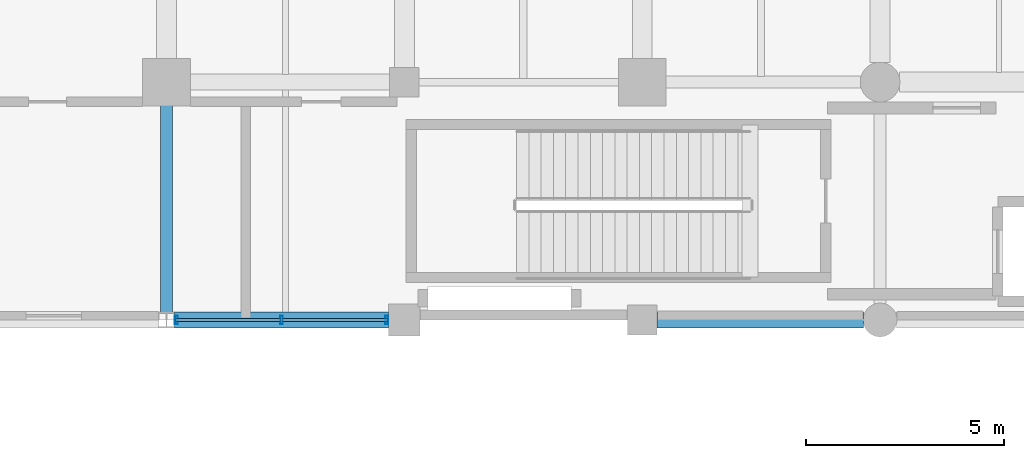
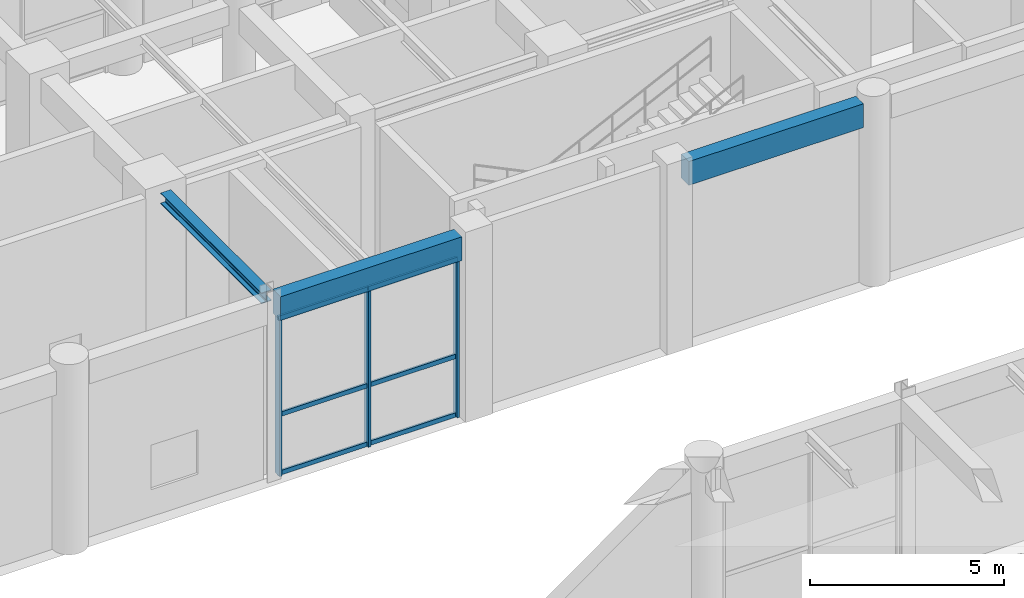
# One storey, part 46 of 106: 9 members, 3 beams, 1 element without a shape of its own.
"""IFC4 building model written with IfcOpenShell, lengths in metres."""

import ifcopenshell
import ifcopenshell.guid

model = None  # the IFC model being written
_history = None  # IfcOwnerHistory: only IFC2X3 demands one
_inside = {}  # id of a spatial element -> (the spatial element, [elements in it])
_under = {}  # id of a project, library or spatial element -> (it, [spatial elements below it])
_declared = {}  # id of a project -> (the project, [libraries it declares])
_typed = {}  # id of a type object -> (the type object, [elements of that type])
_made_of = {}  # id of a material, layer set ... -> (it, [elements and type objects made of it])


def new_model(schema):
    """Start an empty IFC model of exactly this schema.

    Asked for "IFC4X3", IfcOpenShell would pick the latest addendum, in which some entities
    have other attributes; the version numbers below select the first issue.
    IFC2X3 requires an IfcOwnerHistory on every rooted entity: one is made here for all.
    """
    global model, _history
    if schema == "IFC4X3":
        model = ifcopenshell.file(schema_version=(4, 3, 0, 0))
    else:
        model = ifcopenshell.file(schema=schema)
    _inside.clear()
    _under.clear()
    _declared.clear()
    _typed.clear()
    _made_of.clear()
    _history = None
    if model.schema == "IFC2X3":
        org = make("IfcOrganization", Name="unknown")
        user = make(
            "IfcPersonAndOrganization",
            ThePerson=make("IfcPerson", FamilyName="unknown"),
            TheOrganization=org,
        )
        app = make(
            "IfcApplication",
            ApplicationDeveloper=org,
            Version="unknown",
            ApplicationFullName="unknown",
            ApplicationIdentifier="unknown",
        )
        _history = make(
            "IfcOwnerHistory",
            OwningUser=user,
            OwningApplication=app,
            ChangeAction="ADDED",
            CreationDate=0,
        )
    return model


def make(cls, **values):
    """One entity of the class cls with the attributes given. An attribute that is None is left unset."""
    return model.create_entity(
        cls, **{name: value for name, value in values.items() if value is not None}
    )


def rooted(cls, **values):
    """An entity with a GlobalId (a new one), such as an element, a storey or a relation."""
    return make(cls, GlobalId=ifcopenshell.guid.new(), OwnerHistory=_history, **values)


def si_unit(unit_type, name, prefix=None):
    """IfcSIUnit, for example si_unit("LENGTHUNIT", "METRE", prefix="MILLI")."""
    return make("IfcSIUnit", UnitType=unit_type, Prefix=prefix, Name=name)


def assignment(units):
    """IfcUnitAssignment: the units of a project."""
    return None if units is None else make("IfcUnitAssignment", Units=units)


def point(xyz):
    """IfcCartesianPoint."""
    return None if xyz is None else make("IfcCartesianPoint", Coordinates=xyz)


def direction(xyz):
    """IfcDirection."""
    return None if xyz is None else make("IfcDirection", DirectionRatios=xyz)


def frame(location, z_axis=None, x_axis=None):
    """IfcAxis2Placement3D, a coordinate frame: its origin and axes. An axis left out is left unset."""
    return make(
        "IfcAxis2Placement3D",
        Location=point(location),
        Axis=direction(z_axis),
        RefDirection=direction(x_axis),
    )


def frame_2d(location, x_axis=None):
    """IfcAxis2Placement2D, a coordinate frame in the plane: its origin and x axis."""
    return make(
        "IfcAxis2Placement2D", Location=point(location), RefDirection=direction(x_axis)
    )


def origin():
    """The frame at (0, 0, 0) with its axes left unset."""
    return frame((0.0, 0.0, 0.0))


def origin_2d():
    """The frame at (0, 0) in the plane with its x axis left unset."""
    return frame_2d((0.0, 0.0))


def place(relative_to, where):
    """IfcLocalPlacement: puts the frame where relative to a parent placement (None: the world)."""
    return make(
        "IfcLocalPlacement", PlacementRelTo=relative_to, RelativePlacement=where
    )


def context(
    kind, dimensions, precision=None, world=None, true_north=None, identifier=None
):
    """IfcGeometricRepresentationContext, for example the 3D "Model" context."""
    return make(
        "IfcGeometricRepresentationContext",
        ContextIdentifier=identifier,
        ContextType=kind,
        CoordinateSpaceDimension=dimensions,
        Precision=precision,
        WorldCoordinateSystem=world,
        TrueNorth=true_north,
    )


def subcontext(parent, identifier, kind, view, scale=None):
    """IfcGeometricRepresentationSubContext, for example "Body" below "Model"."""
    return make(
        "IfcGeometricRepresentationSubContext",
        ContextIdentifier=identifier,
        ContextType=kind,
        ParentContext=parent,
        TargetScale=scale,
        TargetView=view,
    )


def project(units=None, contexts=None):
    """IfcProject with its units and contexts."""
    return rooted(
        "IfcProject",
        Name="project",
        RepresentationContexts=contexts,
        UnitsInContext=assignment(units),
    )


def spatial(cls, under=None, at=None, **own):
    """A site, building, storey or space (cls), placed at a placement, below another one or the project."""
    s = rooted(cls, ObjectPlacement=at, **own)
    if under is not None:
        _under.setdefault(under.id(), (under, []))[1].append(s)
    return s


def profile(cls, at=None, kind="AREA", **sizes):
    """A parametric profile (cls). Its sizes go by their IFC names, for example OverallWidth=200.0."""
    return make(cls, ProfileType=kind, Position=at, **sizes)


def rectangle(**sizes):
    """IfcRectangleProfileDef."""
    return profile("IfcRectangleProfileDef", **sizes)


def hollow_rectangle(**sizes):
    """IfcRectangleHollowProfileDef."""
    return profile("IfcRectangleHollowProfileDef", **sizes)


def i_section(**sizes):
    """IfcIShapeProfileDef."""
    return profile("IfcIShapeProfileDef", **sizes)


def extrude(swept, where, along, depth):
    """IfcExtrudedAreaSolid: the profile swept, set in the frame where, extruded along a direction by depth."""
    return make(
        "IfcExtrudedAreaSolid",
        SweptArea=swept,
        Position=where,
        ExtrudedDirection=direction(along),
        Depth=depth,
    )


def shape(context_of_items, identifier, shape_type, items):
    """IfcShapeRepresentation: the items that make up one representation, for example the "Body"."""
    return make(
        "IfcShapeRepresentation",
        ContextOfItems=context_of_items,
        RepresentationIdentifier=identifier,
        RepresentationType=shape_type,
        Items=items,
    )


def material(Name=None, Category=None):
    """IfcMaterial."""
    return make("IfcMaterial", Name=Name, Category=Category)


def material_profile(
    of_material, cross_section, Name=None, Category=None, Priority=None
):
    """IfcMaterialProfile: a cross section and its material."""
    return make(
        "IfcMaterialProfile",
        Name=Name,
        Material=of_material,
        Profile=cross_section,
        Priority=Priority,
        Category=Category,
    )


def profile_set(profiles, Name=None, composite=None):
    """IfcMaterialProfileSet."""
    return make(
        "IfcMaterialProfileSet",
        Name=Name,
        MaterialProfiles=profiles,
        CompositeProfile=composite,
    )


def made_of(thing, what):
    """Note that an element or type object is made of a material, layer set ...; save() writes the relation."""
    if what is not None:
        _made_of.setdefault(what.id(), (what, []))[1].append(thing)
    return thing


def type_object(cls, material=None, **own):
    """A type object (cls), such as IfcWallType, which elements share."""
    return made_of(rooted(cls, **own), material)


def element(
    cls,
    number,
    at=None,
    inside=None,
    cuts=None,
    type_object=None,
    material=None,
    context=None,
    identifier="Body",
    shape_type=None,
    held_by="IfcProductDefinitionShape",
    body=None,
    shapes=None,
    **own,
):
    """One element of the class cls, such as IfcWall. Its Tag is "e" and its number.

    at: its placement. inside: the storey or other place that contains it. cuts: it is an
    opening in that element (IfcRelVoidsElement). A single representation is given by context,
    identifier, shape_type and body (its items); several are given by shapes. held_by: the class
    of the entity that holds the representations. save() writes the other relations.
    """
    e = rooted(cls, Tag="e%d" % number, ObjectPlacement=at, **own)
    if body is not None:
        shapes = [shape(context, identifier, shape_type, body)]
    if shapes is not None:
        e.Representation = make(held_by, Representations=shapes)
    if inside is not None:
        _inside.setdefault(inside.id(), (inside, []))[1].append(e)
    if cuts is not None:
        rooted(
            "IfcRelVoidsElement", RelatingBuildingElement=cuts, RelatedOpeningElement=e
        )
    if type_object is not None:
        _typed.setdefault(type_object.id(), (type_object, []))[1].append(e)
    return made_of(e, material)


def aggregate(whole, parts):
    """IfcRelAggregates: a whole, such as a stair, and the parts it consists of."""
    return rooted("IfcRelAggregates", RelatingObject=whole, RelatedObjects=parts)


def save(model, path):
    """Write the relations noted so far, then the file.

    IfcRelAggregates (storeys below a building ...), IfcRelContainedInSpatialStructure (elements
    in a storey), IfcRelDefinesByType, IfcRelAssociatesMaterial and IfcRelDeclares: one each for
    every whole, place, type object, material and project.
    """
    for whole, parts in _under.values():
        aggregate(whole, parts)
    for where, things in _inside.values():
        rooted(
            "IfcRelContainedInSpatialStructure",
            RelatedElements=things,
            RelatingStructure=where,
        )
    for kind, things in _typed.values():
        rooted("IfcRelDefinesByType", RelatedObjects=things, RelatingType=kind)
    for what, things in _made_of.values():
        rooted("IfcRelAssociatesMaterial", RelatedObjects=things, RelatingMaterial=what)
    for by, libraries in _declared.values():
        rooted("IfcRelDeclares", RelatingContext=by, RelatedDefinitions=libraries)
    model.write(path)


model = new_model("IFC4")

# Units and contexts
model_context = context("Model", 3, precision=1e-05, world=origin(), true_north=direction((0.0, 1.0)))
body_context = subcontext(model_context, "Body", "Model", "MODEL_VIEW")
ifc_project = project(units=[si_unit("LENGTHUNIT", "METRE"), si_unit("AREAUNIT", "SQUARE_METRE"), si_unit("VOLUMEUNIT", "CUBIC_METRE"), si_unit("PLANEANGLEUNIT", "RADIAN"), si_unit("MASSUNIT", "GRAM", prefix="KILO"), si_unit("THERMODYNAMICTEMPERATUREUNIT", "KELVIN"), si_unit("POWERUNIT", "WATT")], contexts=[model_context])

# Site, building, storey
site_placement = place(None, origin())
site = spatial("IfcSite", under=ifc_project, at=site_placement, CompositionType="ELEMENT")
building_placement = place(site_placement, origin())
building = spatial("IfcBuilding", under=site, at=building_placement, Name="Phaisarnlok Congress Hotel", CompositionType="ELEMENT")
storey_placement = place(building_placement, origin())
storey = spatial("IfcBuildingStorey", under=building, at=storey_placement, Name="L00", CompositionType="ELEMENT", Elevation=0.0)

# Beam
ifc_material_1 = material(Name="Steel S355", Category="steel")
ifc_material_profile_1 = material_profile(ifc_material_1, i_section(OverallWidth=0.300048828125, OverallDepth=0.340087890625, WebThickness=0.011962890625, FlangeThickness=0.021484375, FilletRadius=0.027099609375, at=origin_2d()), Name="HEB 340")
ifc_profile_set_1 = profile_set([ifc_material_profile_1], Name="Steel S355")
beam_type_1 = type_object("IfcBeamType", Name="BM-STL-HEB340", PredefinedType="BEAM", material=ifc_profile_set_1)
beam_1_placement = place(storey_placement, frame((96.0, 108.194580078125, 5.570068359375), z_axis=(0.0, 1.0, 0.0), x_axis=(-1.0, 0.0, 0.0)))
element("IfcBeam", 1, at=beam_1_placement, inside=storey, type_object=beam_type_1, Name="Beam SB-07", PredefinedType="BEAM", context=body_context, shape_type="SweptSolid", body=[
    extrude(i_section(OverallWidth=0.300048828125, OverallDepth=0.340087890625, WebThickness=0.011962890625, FlangeThickness=0.021484375, FilletRadius=0.027099609375, at=origin_2d()), origin(), (0.0, 0.0, 1.0), 5.21044921875),
])

# Curtain wall, members
ifc_material_2 = material(Name="Thermally Broken Unitised Aluminium & Low-E Glazing", Category="aluminium")
curtain_wall_type = type_object("IfcCurtainWallType", Name="CW-UNIT-04", PredefinedType="NOTDEFINED", material=ifc_material_2)
curtain_wall_placement = place(storey_placement, origin())
curtain_wall = element("IfcCurtainWall", 2, at=curtain_wall_placement, inside=storey, type_object=curtain_wall_type, Name="Unitised curtain wall CW-04 (L00)", PredefinedType="NOTDEFINED")
ifc_material_3 = material(Name="Anodised Aluminium Alloy 6063-T6", Category="aluminium")
ifc_material_profile_2 = material_profile(ifc_material_3, hollow_rectangle(XDim=0.074951171875, YDim=0.219970703125, WallThickness=0.0048828125, at=origin_2d()), Name="ALU-M 75x220x5")
ifc_profile_set_2 = profile_set([ifc_material_profile_2], Name="Anodised Aluminium Alloy 6063-T6")
member_type_1 = type_object("IfcMemberType", Name="CWM-220", PredefinedType="MULLION", material=ifc_profile_set_2)
member_1_placement = place(storey_placement, frame((96.25048828125, 108.0, 0.0), z_axis=(0.0, 0.0, 1.0), x_axis=(1.0, 0.0, 0.0)))
member_1 = element("IfcMember", 3, at=member_1_placement, type_object=member_type_1, Name="Curtain wall mullion CWM-02", PredefinedType="MULLION", context=body_context, shape_type="SweptSolid", body=[
    extrude(hollow_rectangle(XDim=0.074951171875, YDim=0.219970703125, WallThickness=0.0048828125, at=origin_2d()), origin(), (0.0, 0.0, 1.0), 4.989990234375),
])
member_2_placement = place(storey_placement, frame((98.900146484375, 108.0, 0.0), z_axis=(0.0, 0.0, 1.0), x_axis=(1.0, 0.0, 0.0)))
member_2 = element("IfcMember", 4, at=member_2_placement, type_object=member_type_1, Name="Curtain wall mullion CWM-02", PredefinedType="MULLION", context=body_context, shape_type="SweptSolid", body=[
    extrude(hollow_rectangle(XDim=0.074951171875, YDim=0.219970703125, WallThickness=0.0048828125, at=origin_2d()), origin(), (0.0, 0.0, 1.0), 4.989990234375),
])
member_3_placement = place(storey_placement, frame((101.550048828125, 108.0, 0.0), z_axis=(0.0, 0.0, 1.0), x_axis=(1.0, 0.0, 0.0)))
member_3 = element("IfcMember", 5, at=member_3_placement, type_object=member_type_1, Name="Curtain wall mullion CWM-02", PredefinedType="MULLION", context=body_context, shape_type="SweptSolid", body=[
    extrude(hollow_rectangle(XDim=0.074951171875, YDim=0.219970703125, WallThickness=0.0048828125, at=origin_2d()), origin(), (0.0, 0.0, 1.0), 4.989990234375),
])
ifc_material_profile_3 = material_profile(ifc_material_3, hollow_rectangle(XDim=0.06494140625, YDim=0.139892578125, WallThickness=0.00390625, at=origin_2d()), Name="ALU-T 65x140x4")
ifc_profile_set_3 = profile_set([ifc_material_profile_3], Name="Anodised Aluminium Alloy 6063-T6")
member_type_2 = type_object("IfcMemberType", Name="CWT-150", PredefinedType="USERDEFINED", material=ifc_profile_set_3)
member_4_placement = place(storey_placement, frame((96.2255859375, 108.0, 0.050048828125), z_axis=(1.0, 0.0, 0.0), x_axis=(0.0, 1.0, 0.0)))
member_4 = element("IfcMember", 6, at=member_4_placement, type_object=member_type_2, Name="Curtain wall transom CWT-01", ObjectType="TRANSOM", PredefinedType="USERDEFINED", context=body_context, shape_type="SweptSolid", body=[
    extrude(hollow_rectangle(XDim=0.06494140625, YDim=0.139892578125, WallThickness=0.00390625, at=origin_2d()), origin(), (0.0, 0.0, 1.0), 2.65966796875),
])
member_5_placement = place(storey_placement, frame((96.2255859375, 108.0, 1.896240234375), z_axis=(1.0, 0.0, 0.0), x_axis=(0.0, 1.0, 0.0)))
member_5 = element("IfcMember", 7, at=member_5_placement, type_object=member_type_2, Name="Curtain wall transom CWT-01", ObjectType="TRANSOM", PredefinedType="USERDEFINED", context=body_context, shape_type="SweptSolid", body=[
    extrude(hollow_rectangle(XDim=0.06494140625, YDim=0.139892578125, WallThickness=0.00390625, at=origin_2d()), origin(), (0.0, 0.0, 1.0), 2.65966796875),
])
member_6_placement = place(storey_placement, frame((96.2255859375, 108.0, 4.93994140625), z_axis=(1.0, 0.0, 0.0), x_axis=(0.0, 1.0, 0.0)))
member_6 = element("IfcMember", 8, at=member_6_placement, type_object=member_type_2, Name="Curtain wall transom CWT-01", ObjectType="TRANSOM", PredefinedType="USERDEFINED", context=body_context, shape_type="SweptSolid", body=[
    extrude(hollow_rectangle(XDim=0.06494140625, YDim=0.139892578125, WallThickness=0.00390625, at=origin_2d()), origin(), (0.0, 0.0, 1.0), 2.65966796875),
])
member_7_placement = place(storey_placement, frame((98.915283203125, 108.0, 0.050048828125), z_axis=(1.0, 0.0, 0.0), x_axis=(0.0, 1.0, 0.0)))
member_7 = element("IfcMember", 9, at=member_7_placement, type_object=member_type_2, Name="Curtain wall transom CWT-01", ObjectType="TRANSOM", PredefinedType="USERDEFINED", context=body_context, shape_type="SweptSolid", body=[
    extrude(hollow_rectangle(XDim=0.06494140625, YDim=0.139892578125, WallThickness=0.00390625, at=origin_2d()), origin(), (0.0, 0.0, 1.0), 2.65966796875),
])
member_8_placement = place(storey_placement, frame((98.915283203125, 108.0, 1.896240234375), z_axis=(1.0, 0.0, 0.0), x_axis=(0.0, 1.0, 0.0)))
member_8 = element("IfcMember", 10, at=member_8_placement, type_object=member_type_2, Name="Curtain wall transom CWT-01", ObjectType="TRANSOM", PredefinedType="USERDEFINED", context=body_context, shape_type="SweptSolid", body=[
    extrude(hollow_rectangle(XDim=0.06494140625, YDim=0.139892578125, WallThickness=0.00390625, at=origin_2d()), origin(), (0.0, 0.0, 1.0), 2.65966796875),
])
member_9_placement = place(storey_placement, frame((98.915283203125, 108.0, 4.93994140625), z_axis=(1.0, 0.0, 0.0), x_axis=(0.0, 1.0, 0.0)))
member_9 = element("IfcMember", 11, at=member_9_placement, type_object=member_type_2, Name="Curtain wall transom CWT-01", ObjectType="TRANSOM", PredefinedType="USERDEFINED", context=body_context, shape_type="SweptSolid", body=[
    extrude(hollow_rectangle(XDim=0.06494140625, YDim=0.139892578125, WallThickness=0.00390625, at=origin_2d()), origin(), (0.0, 0.0, 1.0), 2.65966796875),
])
aggregate(curtain_wall, [member_1, member_2, member_3, member_4, member_5, member_6, member_7, member_8, member_9])

# Beams
ifc_material_4 = material(Name="Concrete C40/50", Category="concrete")
ifc_material_profile_4 = material_profile(ifc_material_4, rectangle(XDim=0.39990234375, YDim=0.75, at=origin_2d()), Name="RC 400x750")
ifc_profile_set_4 = profile_set([ifc_material_profile_4], Name="Concrete C40/50")
beam_type_2 = type_object("IfcBeamType", Name="SP-RC-400x750", PredefinedType="SPANDREL", material=ifc_profile_set_4)
beam_2_placement = place(storey_placement, frame((96.195556640625, 108.0, 5.364990234375), z_axis=(1.0, 0.0, 0.0), x_axis=(0.0, 1.0, 0.0)))
element("IfcBeam", 12, at=beam_2_placement, inside=storey, type_object=beam_type_2, Name="Beam SP-02", PredefinedType="SPANDREL", context=body_context, shape_type="SweptSolid", body=[
    extrude(rectangle(XDim=0.39990234375, YDim=0.75, at=origin_2d()), origin(), (0.0, 0.0, 1.0), 5.409423828125),
])
beam_3_placement = place(storey_placement, frame((108.3701171875, 108.0, 5.364990234375), z_axis=(1.0, 0.0, 0.0), x_axis=(0.0, 1.0, 0.0)))
element("IfcBeam", 13, at=beam_3_placement, inside=storey, type_object=beam_type_2, Name="Beam SP-02", PredefinedType="SPANDREL", context=body_context, shape_type="SweptSolid", body=[
    extrude(rectangle(XDim=0.39990234375, YDim=0.75, at=origin_2d()), origin(), (0.0, 0.0, 1.0), 5.2099609375),
])

save(model, "model.ifc")
